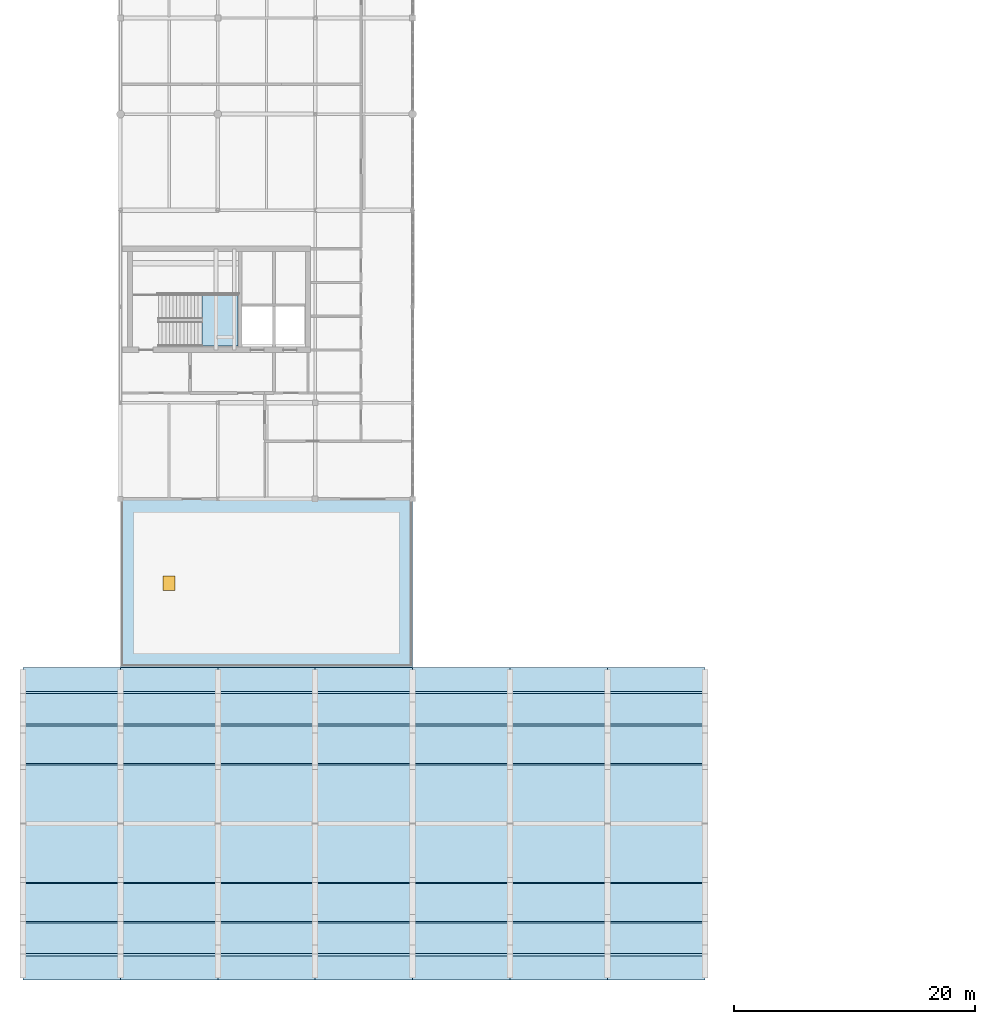
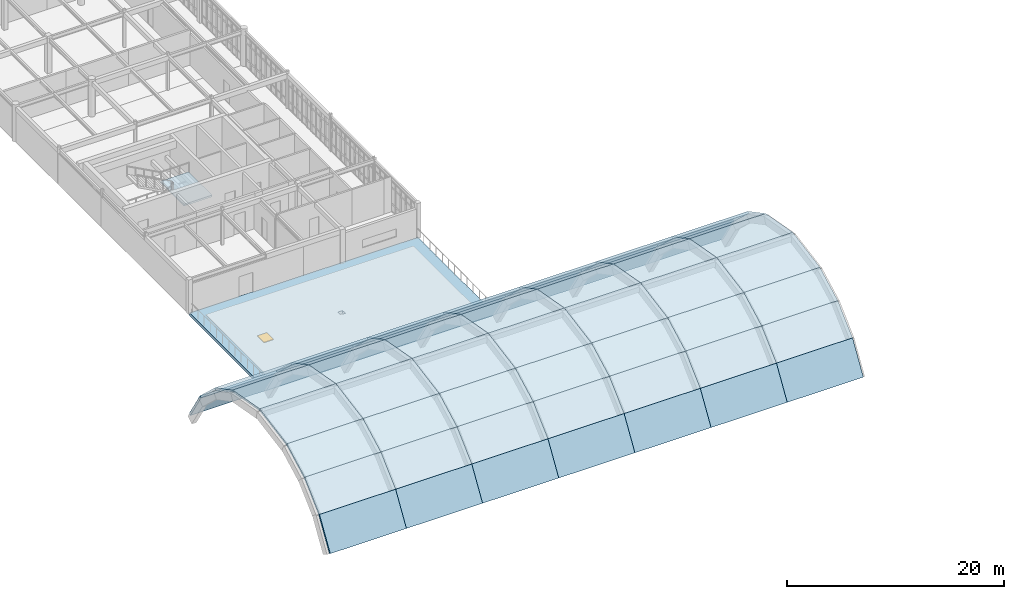
# One storey, part 21 of 36: 58 slabs, 1 door, 1 opening, 1 element without a shape of its own.
"""IFC4 building model written with IfcOpenShell, lengths in metres."""

from ifc_helpers import new_model, si_unit, direction, frame, origin, origin_2d, place, context, subcontext, project, spatial, polyline, rectangle, outline, extrude, material, layer, layer_set, type_object, element, fill, aggregate, save


model = new_model("IFC4")

# Units and contexts
model_context = context("Model", 3, precision=1e-05, world=origin(), true_north=direction((0.0, 1.0)))
body_context = subcontext(model_context, "Body", "Model", "MODEL_VIEW")
ifc_project = project(units=[si_unit("LENGTHUNIT", "METRE"), si_unit("AREAUNIT", "SQUARE_METRE"), si_unit("VOLUMEUNIT", "CUBIC_METRE"), si_unit("PLANEANGLEUNIT", "RADIAN"), si_unit("MASSUNIT", "GRAM", prefix="KILO")], contexts=[model_context])

# Site, building, storey
site_placement = place(None, origin())
site = spatial("IfcSite", under=ifc_project, at=site_placement, CompositionType="ELEMENT")
building_placement = place(site_placement, origin())
building = spatial("IfcBuilding", under=site, at=building_placement, Name="Tarnveldt Square Police Headquarters", CompositionType="ELEMENT")
storey_placement = place(building_placement, frame((0.0, 0.0, 24.89990234375)))
storey = spatial("IfcBuildingStorey", under=building, at=storey_placement, Name="L05", CompositionType="ELEMENT", Elevation=24.89990234375)

# Stair, slab
ifc_material_1 = material(Name="Concrete 40 MPa", Category="concrete")
stair_type = type_object("IfcStairType", Name="STR-HT-48A", PredefinedType="HALF_TURN_STAIR", material=ifc_material_1)
stair_placement = place(storey_placement, origin())
stair = element("IfcStair", 1, at=stair_placement, inside=storey, type_object=stair_type, Name="L05 Core K1 Exit Stair ST1", PredefinedType="HALF_TURN_STAIR")
ifc_layer_1 = layer(ifc_material_1, 0.179931640625)
ifc_layer_set_1 = layer_set([ifc_layer_1], Name="Concrete 40 MPa")
slab_type_1 = type_object("IfcSlabType", Name="SL-LND-180", PredefinedType="LANDING", material=ifc_layer_set_1)
slab_1_placement = place(storey_placement, frame((0.0, 0.0, 1.900146484375)))
slab_1 = element("IfcSlab", 2, at=slab_1_placement, type_object=slab_type_1, Name="ST1 landing 1", PredefinedType="LANDING", context=body_context, shape_type="SweptSolid", body=[
    extrude(outline(polyline([(22.969970703125, 60.719970703125), (25.969970703125, 60.719970703125), (25.969970703125, 65.02001953125), (22.969970703125, 65.02001953125), (22.969970703125, 60.719970703125)])), origin(), (0.0, 0.0, 1.0), 0.199951171875),
])
aggregate(stair, [slab_1])

# Slab, opening, door
ifc_layer_2 = layer(ifc_material_1, 0.340087890625)
ifc_layer_set_2 = layer_set([ifc_layer_2], Name="Concrete 40 MPa")
slab_type_2 = type_object("IfcSlabType", Name="SL-TER-340", PredefinedType="ROOF", material=ifc_layer_set_2)
slab_2_placement = place(storey_placement, frame((0.0, 0.0, -0.33984375)))
slab_2 = element("IfcSlab", 3, at=slab_2_placement, inside=storey, type_object=slab_type_2, Name="South-West Operations Setback Terrace", PredefinedType="ROOF", context=body_context, shape_type="SweptSolid", body=[
    extrude(outline(polyline([(16.199951171875, 34.0), (16.199951171875, 48.0), (40.5, 48.0), (40.5, 34.0), (16.199951171875, 34.0)]), holes=[polyline([(28.60009765625, 41.25), (28.10009765625, 41.25), (28.10009765625, 40.75), (28.60009765625, 40.75), (28.60009765625, 41.25)])]), origin(), (0.0, 0.0, 1.0), 0.33984375),
])
opening_placement = place(slab_2_placement, frame((20.25, 41.0, 0.0)))
opening = element("IfcOpeningElement", 4, at=opening_placement, cuts=slab_2, Name="Opening RH1", PredefinedType="OPENING", context=body_context, shape_type="SweptSolid", body=[
    extrude(rectangle(XDim=1.0, YDim=1.199951171875, at=origin_2d()), frame((0.0, 0.0, -0.010009765625)), (0.0, 0.0, 1.0), 0.419921875),
])
ifc_material_2 = material(Name="Steel 350W", Category="steel")
door_type = type_object("IfcDoorType", Name="HT-ROOF-100x120", OperationType="SINGLE_SWING_LEFT", PredefinedType="TRAPDOOR", material=ifc_material_2)
door_placement = place(opening_placement, frame((0.0, 0.0, 0.33984375)))
door = element("IfcDoor", 5, at=door_placement, inside=storey, type_object=door_type, Name="Roof Maintenance Access Hatch HT-TER-2", OperationType="SINGLE_SWING_LEFT", OverallHeight=1.199951171875, OverallWidth=1.0, PredefinedType="TRAPDOOR", context=body_context, shape_type="SweptSolid", body=[
    extrude(rectangle(XDim=1.0, YDim=1.199951171875, at=origin_2d()), origin(), (0.0, 0.0, 1.0), 0.050048828125),
])
fill(opening, door)

# Slabs
ifc_layer_3 = layer(ifc_material_1, 0.22998046875)
ifc_layer_set_3 = layer_set([ifc_layer_3], Name="Concrete 40 MPa")
slab_type_3 = type_object("IfcSlabType", Name="SL-VAULT-230", PredefinedType="ROOF", material=ifc_layer_set_3)
slab_3_placement = place(storey_placement, frame((8.10009765625, 8.0, 0.0), z_axis=(0.0, -0.849138976196, 0.528169479529), x_axis=(1.0, 0.0, 0.0)))
element("IfcSlab", 6, at=slab_3_placement, inside=storey, type_object=slab_type_3, Name="Command and Control Room Barrel Vault Roof Shell B1.F1", PredefinedType="ROOF", context=body_context, shape_type="SweptSolid", body=[
    extrude(outline(polyline([(0.0, 0.0), (8.099853515625, 0.0), (8.099853515625, 3.781116459592797), (0.0, 3.781116459592797), (0.0, 0.0)])), origin(), (0.0, 0.0, -1.0), 0.22998046875),
])
slab_4_placement = place(storey_placement, frame((8.10009765625, 9.9970703125, 3.210693359375), z_axis=(0.0, -0.682016751345, 0.731336551038), x_axis=(1.0, 0.0, 0.0)))
element("IfcSlab", 7, at=slab_4_placement, inside=storey, type_object=slab_type_3, Name="Command and Control Room Barrel Vault Roof Shell B1.F2", PredefinedType="ROOF", context=body_context, shape_type="SweptSolid", body=[
    extrude(outline(polyline([(0.0, 0.0), (8.099853515625, 0.0), (8.099853515625, 3.7225161322915987), (0.0, 3.7225161322915987), (0.0, 0.0)])), origin(), (0.0, 0.0, -1.0), 0.22998046875),
])
slab_5_placement = place(storey_placement, frame((8.10009765625, 12.719482421875, 5.74951171875), z_axis=(0.0, -0.469478088811, 0.882944122879), x_axis=(1.0, 0.0, 0.0)))
element("IfcSlab", 8, at=slab_5_placement, inside=storey, type_object=slab_type_3, Name="Command and Control Room Barrel Vault Roof Shell B1.F3", PredefinedType="ROOF", context=body_context, shape_type="SweptSolid", body=[
    extrude(outline(polyline([(0.0, 0.0), (8.099853515625, 0.0), (8.099853515625, 3.722343247535338), (0.0, 3.722343247535338), (0.0, 0.0)])), origin(), (0.0, 0.0, -1.0), 0.22998046875),
])
for number, where, z_axis, x_axis, name in (
    (9, (8.10009765625, 16.006103515625, 7.4970703125), (0.0, -0.177949762031, 0.984039573489), (1.0, 0.0, 0.0), "Command and Control Room Barrel Vault Roof Shell B1.F4"),
    (10, (8.10009765625, 21.0, 8.400146484375), (0.0, 0.177949762031, 0.984039573489), (1.0, 0.0, 0.0), "Command and Control Room Barrel Vault Roof Shell B1.F5"),
):
    element("IfcSlab", number, at=place(storey_placement, frame(where, z_axis=z_axis, x_axis=x_axis)), inside=storey, type_object=slab_type_3, Name=name, PredefinedType="ROOF", context=body_context, shape_type="SweptSolid", body=[
        extrude(outline(polyline([(0.0, 0.0), (8.099853515625, 0.0), (8.099853515625, 5.074893956415384), (0.0, 5.074893956415384), (0.0, 0.0)])), origin(), (0.0, 0.0, -1.0), 0.22998046875),
    ])
slab_6_placement = place(storey_placement, frame((8.10009765625, 25.993896484375, 7.4970703125), z_axis=(0.0, 0.469478088811, 0.882944122879), x_axis=(1.0, 0.0, 0.0)))
element("IfcSlab", 11, at=slab_6_placement, inside=storey, type_object=slab_type_3, Name="Command and Control Room Barrel Vault Roof Shell B1.F6", PredefinedType="ROOF", context=body_context, shape_type="SweptSolid", body=[
    extrude(outline(polyline([(0.0, 0.0), (8.099853515625, 0.0), (8.099853515625, 3.722343247535338), (0.0, 3.722343247535338), (0.0, 0.0)])), origin(), (0.0, 0.0, -1.0), 0.22998046875),
])
slab_7_placement = place(storey_placement, frame((8.10009765625, 29.280517578125, 5.74951171875), z_axis=(0.0, 0.682016751345, 0.731336551038), x_axis=(1.0, 0.0, 0.0)))
element("IfcSlab", 12, at=slab_7_placement, inside=storey, type_object=slab_type_3, Name="Command and Control Room Barrel Vault Roof Shell B1.F7", PredefinedType="ROOF", context=body_context, shape_type="SweptSolid", body=[
    extrude(outline(polyline([(0.0, 0.0), (8.099853515625, 0.0), (8.099853515625, 3.7225161322915987), (0.0, 3.7225161322915987), (0.0, 0.0)])), origin(), (0.0, 0.0, -1.0), 0.22998046875),
])
slab_8_placement = place(storey_placement, frame((8.10009765625, 32.0029296875, 3.210693359375), z_axis=(0.0, 0.849138976196, 0.528169479529), x_axis=(1.0, 0.0, 0.0)))
element("IfcSlab", 13, at=slab_8_placement, inside=storey, type_object=slab_type_3, Name="Command and Control Room Barrel Vault Roof Shell B1.F8", PredefinedType="ROOF", context=body_context, shape_type="SweptSolid", body=[
    extrude(outline(polyline([(0.0, 0.0), (8.099853515625, 0.0), (8.099853515625, 3.781116459592797), (0.0, 3.781116459592797), (0.0, 0.0)])), origin(), (0.0, 0.0, -1.0), 0.22998046875),
])
slab_9_placement = place(storey_placement, frame((16.199951171875, 8.0, 0.0), z_axis=(0.0, -0.849138976196, 0.528169479529), x_axis=(1.0, 0.0, 0.0)))
element("IfcSlab", 14, at=slab_9_placement, inside=storey, type_object=slab_type_3, Name="Command and Control Room Barrel Vault Roof Shell B2.F1", PredefinedType="ROOF", context=body_context, shape_type="SweptSolid", body=[
    extrude(outline(polyline([(0.0, 0.0), (8.10009765625, 0.0), (8.10009765625, 3.781116459592797), (0.0, 3.781116459592797), (0.0, 0.0)])), origin(), (0.0, 0.0, -1.0), 0.22998046875),
])
slab_10_placement = place(storey_placement, frame((16.199951171875, 9.9970703125, 3.210693359375), z_axis=(0.0, -0.682016751345, 0.731336551038), x_axis=(1.0, 0.0, 0.0)))
element("IfcSlab", 15, at=slab_10_placement, inside=storey, type_object=slab_type_3, Name="Command and Control Room Barrel Vault Roof Shell B2.F2", PredefinedType="ROOF", context=body_context, shape_type="SweptSolid", body=[
    extrude(outline(polyline([(0.0, 0.0), (8.10009765625, 0.0), (8.10009765625, 3.7225161322915987), (0.0, 3.7225161322915987), (0.0, 0.0)])), origin(), (0.0, 0.0, -1.0), 0.22998046875),
])
slab_11_placement = place(storey_placement, frame((16.199951171875, 12.719482421875, 5.74951171875), z_axis=(0.0, -0.469478088811, 0.882944122879), x_axis=(1.0, 0.0, 0.0)))
element("IfcSlab", 16, at=slab_11_placement, inside=storey, type_object=slab_type_3, Name="Command and Control Room Barrel Vault Roof Shell B2.F3", PredefinedType="ROOF", context=body_context, shape_type="SweptSolid", body=[
    extrude(outline(polyline([(0.0, 0.0), (8.10009765625, 0.0), (8.10009765625, 3.722343247535338), (0.0, 3.722343247535338), (0.0, 0.0)])), origin(), (0.0, 0.0, -1.0), 0.22998046875),
])
for number, where, z_axis, x_axis, name in (
    (17, (16.199951171875, 16.006103515625, 7.4970703125), (0.0, -0.177949762031, 0.984039573489), (1.0, 0.0, 0.0), "Command and Control Room Barrel Vault Roof Shell B2.F4"),
    (18, (16.199951171875, 21.0, 8.400146484375), (0.0, 0.177949762031, 0.984039573489), (1.0, 0.0, 0.0), "Command and Control Room Barrel Vault Roof Shell B2.F5"),
):
    element("IfcSlab", number, at=place(storey_placement, frame(where, z_axis=z_axis, x_axis=x_axis)), inside=storey, type_object=slab_type_3, Name=name, PredefinedType="ROOF", context=body_context, shape_type="SweptSolid", body=[
        extrude(outline(polyline([(0.0, 0.0), (8.10009765625, 0.0), (8.10009765625, 5.074893956415384), (0.0, 5.074893956415384), (0.0, 0.0)])), origin(), (0.0, 0.0, -1.0), 0.22998046875),
    ])
slab_12_placement = place(storey_placement, frame((16.199951171875, 25.993896484375, 7.4970703125), z_axis=(0.0, 0.469478088811, 0.882944122879), x_axis=(1.0, 0.0, 0.0)))
element("IfcSlab", 19, at=slab_12_placement, inside=storey, type_object=slab_type_3, Name="Command and Control Room Barrel Vault Roof Shell B2.F6", PredefinedType="ROOF", context=body_context, shape_type="SweptSolid", body=[
    extrude(outline(polyline([(0.0, 0.0), (8.10009765625, 0.0), (8.10009765625, 3.722343247535338), (0.0, 3.722343247535338), (0.0, 0.0)])), origin(), (0.0, 0.0, -1.0), 0.22998046875),
])
slab_13_placement = place(storey_placement, frame((16.199951171875, 29.280517578125, 5.74951171875), z_axis=(0.0, 0.682016751345, 0.731336551038), x_axis=(1.0, 0.0, 0.0)))
element("IfcSlab", 20, at=slab_13_placement, inside=storey, type_object=slab_type_3, Name="Command and Control Room Barrel Vault Roof Shell B2.F7", PredefinedType="ROOF", context=body_context, shape_type="SweptSolid", body=[
    extrude(outline(polyline([(0.0, 0.0), (8.10009765625, 0.0), (8.10009765625, 3.7225161322915987), (0.0, 3.7225161322915987), (0.0, 0.0)])), origin(), (0.0, 0.0, -1.0), 0.22998046875),
])
slab_14_placement = place(storey_placement, frame((16.199951171875, 32.0029296875, 3.210693359375), z_axis=(0.0, 0.849138976196, 0.528169479529), x_axis=(1.0, 0.0, 0.0)))
element("IfcSlab", 21, at=slab_14_placement, inside=storey, type_object=slab_type_3, Name="Command and Control Room Barrel Vault Roof Shell B2.F8", PredefinedType="ROOF", context=body_context, shape_type="SweptSolid", body=[
    extrude(outline(polyline([(0.0, 0.0), (8.10009765625, 0.0), (8.10009765625, 3.781116459592797), (0.0, 3.781116459592797), (0.0, 0.0)])), origin(), (0.0, 0.0, -1.0), 0.22998046875),
])
slab_15_placement = place(storey_placement, frame((24.300048828125, 8.0, 0.0), z_axis=(0.0, -0.849138976196, 0.528169479529), x_axis=(1.0, 0.0, 0.0)))
element("IfcSlab", 22, at=slab_15_placement, inside=storey, type_object=slab_type_3, Name="Command and Control Room Barrel Vault Roof Shell B3.F1", PredefinedType="ROOF", context=body_context, shape_type="SweptSolid", body=[
    extrude(outline(polyline([(0.0, 0.0), (8.099853515625, 0.0), (8.099853515625, 3.781116459592797), (0.0, 3.781116459592797), (0.0, 0.0)])), origin(), (0.0, 0.0, -1.0), 0.22998046875),
])
slab_16_placement = place(storey_placement, frame((24.300048828125, 9.9970703125, 3.210693359375), z_axis=(0.0, -0.682016751345, 0.731336551038), x_axis=(1.0, 0.0, 0.0)))
element("IfcSlab", 23, at=slab_16_placement, inside=storey, type_object=slab_type_3, Name="Command and Control Room Barrel Vault Roof Shell B3.F2", PredefinedType="ROOF", context=body_context, shape_type="SweptSolid", body=[
    extrude(outline(polyline([(0.0, 0.0), (8.099853515625, 0.0), (8.099853515625, 3.7225161322915987), (0.0, 3.7225161322915987), (0.0, 0.0)])), origin(), (0.0, 0.0, -1.0), 0.22998046875),
])
slab_17_placement = place(storey_placement, frame((24.300048828125, 12.719482421875, 5.74951171875), z_axis=(0.0, -0.469478088811, 0.882944122879), x_axis=(1.0, 0.0, 0.0)))
element("IfcSlab", 24, at=slab_17_placement, inside=storey, type_object=slab_type_3, Name="Command and Control Room Barrel Vault Roof Shell B3.F3", PredefinedType="ROOF", context=body_context, shape_type="SweptSolid", body=[
    extrude(outline(polyline([(0.0, 0.0), (8.099853515625, 0.0), (8.099853515625, 3.722343247535338), (0.0, 3.722343247535338), (0.0, 0.0)])), origin(), (0.0, 0.0, -1.0), 0.22998046875),
])
for number, where, z_axis, x_axis, name in (
    (25, (24.300048828125, 16.006103515625, 7.4970703125), (0.0, -0.177949762031, 0.984039573489), (1.0, 0.0, 0.0), "Command and Control Room Barrel Vault Roof Shell B3.F4"),
    (26, (24.300048828125, 21.0, 8.400146484375), (0.0, 0.177949762031, 0.984039573489), (1.0, 0.0, 0.0), "Command and Control Room Barrel Vault Roof Shell B3.F5"),
):
    element("IfcSlab", number, at=place(storey_placement, frame(where, z_axis=z_axis, x_axis=x_axis)), inside=storey, type_object=slab_type_3, Name=name, PredefinedType="ROOF", context=body_context, shape_type="SweptSolid", body=[
        extrude(outline(polyline([(0.0, 0.0), (8.099853515625, 0.0), (8.099853515625, 5.074893956415384), (0.0, 5.074893956415384), (0.0, 0.0)])), origin(), (0.0, 0.0, -1.0), 0.22998046875),
    ])
slab_18_placement = place(storey_placement, frame((24.300048828125, 25.993896484375, 7.4970703125), z_axis=(0.0, 0.469478088811, 0.882944122879), x_axis=(1.0, 0.0, 0.0)))
element("IfcSlab", 27, at=slab_18_placement, inside=storey, type_object=slab_type_3, Name="Command and Control Room Barrel Vault Roof Shell B3.F6", PredefinedType="ROOF", context=body_context, shape_type="SweptSolid", body=[
    extrude(outline(polyline([(0.0, 0.0), (8.099853515625, 0.0), (8.099853515625, 3.722343247535338), (0.0, 3.722343247535338), (0.0, 0.0)])), origin(), (0.0, 0.0, -1.0), 0.22998046875),
])
slab_19_placement = place(storey_placement, frame((24.300048828125, 29.280517578125, 5.74951171875), z_axis=(0.0, 0.682016751345, 0.731336551038), x_axis=(1.0, 0.0, 0.0)))
element("IfcSlab", 28, at=slab_19_placement, inside=storey, type_object=slab_type_3, Name="Command and Control Room Barrel Vault Roof Shell B3.F7", PredefinedType="ROOF", context=body_context, shape_type="SweptSolid", body=[
    extrude(outline(polyline([(0.0, 0.0), (8.099853515625, 0.0), (8.099853515625, 3.7225161322915987), (0.0, 3.7225161322915987), (0.0, 0.0)])), origin(), (0.0, 0.0, -1.0), 0.22998046875),
])
slab_20_placement = place(storey_placement, frame((24.300048828125, 32.0029296875, 3.210693359375), z_axis=(0.0, 0.849138976196, 0.528169479529), x_axis=(1.0, 0.0, 0.0)))
element("IfcSlab", 29, at=slab_20_placement, inside=storey, type_object=slab_type_3, Name="Command and Control Room Barrel Vault Roof Shell B3.F8", PredefinedType="ROOF", context=body_context, shape_type="SweptSolid", body=[
    extrude(outline(polyline([(0.0, 0.0), (8.099853515625, 0.0), (8.099853515625, 3.781116459592797), (0.0, 3.781116459592797), (0.0, 0.0)])), origin(), (0.0, 0.0, -1.0), 0.22998046875),
])
slab_21_placement = place(storey_placement, frame((32.39990234375, 8.0, 0.0), z_axis=(0.0, -0.849138976196, 0.528169479529), x_axis=(1.0, 0.0, 0.0)))
element("IfcSlab", 30, at=slab_21_placement, inside=storey, type_object=slab_type_3, Name="Command and Control Room Barrel Vault Roof Shell B4.F1", PredefinedType="ROOF", context=body_context, shape_type="SweptSolid", body=[
    extrude(outline(polyline([(0.0, 0.0), (8.10009765625, 0.0), (8.10009765625, 3.781116459592797), (0.0, 3.781116459592797), (0.0, 0.0)])), origin(), (0.0, 0.0, -1.0), 0.22998046875),
])
slab_22_placement = place(storey_placement, frame((32.39990234375, 9.9970703125, 3.210693359375), z_axis=(0.0, -0.682016751345, 0.731336551038), x_axis=(1.0, 0.0, 0.0)))
element("IfcSlab", 31, at=slab_22_placement, inside=storey, type_object=slab_type_3, Name="Command and Control Room Barrel Vault Roof Shell B4.F2", PredefinedType="ROOF", context=body_context, shape_type="SweptSolid", body=[
    extrude(outline(polyline([(0.0, 0.0), (8.10009765625, 0.0), (8.10009765625, 3.7225161322915987), (0.0, 3.7225161322915987), (0.0, 0.0)])), origin(), (0.0, 0.0, -1.0), 0.22998046875),
])
slab_23_placement = place(storey_placement, frame((32.39990234375, 12.719482421875, 5.74951171875), z_axis=(0.0, -0.469478088811, 0.882944122879), x_axis=(1.0, 0.0, 0.0)))
element("IfcSlab", 32, at=slab_23_placement, inside=storey, type_object=slab_type_3, Name="Command and Control Room Barrel Vault Roof Shell B4.F3", PredefinedType="ROOF", context=body_context, shape_type="SweptSolid", body=[
    extrude(outline(polyline([(0.0, 0.0), (8.10009765625, 0.0), (8.10009765625, 3.722343247535338), (0.0, 3.722343247535338), (0.0, 0.0)])), origin(), (0.0, 0.0, -1.0), 0.22998046875),
])
for number, where, z_axis, x_axis, name in (
    (33, (32.39990234375, 16.006103515625, 7.4970703125), (0.0, -0.177949762031, 0.984039573489), (1.0, 0.0, 0.0), "Command and Control Room Barrel Vault Roof Shell B4.F4"),
    (34, (32.39990234375, 21.0, 8.400146484375), (0.0, 0.177949762031, 0.984039573489), (1.0, 0.0, 0.0), "Command and Control Room Barrel Vault Roof Shell B4.F5"),
):
    element("IfcSlab", number, at=place(storey_placement, frame(where, z_axis=z_axis, x_axis=x_axis)), inside=storey, type_object=slab_type_3, Name=name, PredefinedType="ROOF", context=body_context, shape_type="SweptSolid", body=[
        extrude(outline(polyline([(0.0, 0.0), (8.10009765625, 0.0), (8.10009765625, 5.074893956415384), (0.0, 5.074893956415384), (0.0, 0.0)])), origin(), (0.0, 0.0, -1.0), 0.22998046875),
    ])
slab_24_placement = place(storey_placement, frame((32.39990234375, 25.993896484375, 7.4970703125), z_axis=(0.0, 0.469478088811, 0.882944122879), x_axis=(1.0, 0.0, 0.0)))
element("IfcSlab", 35, at=slab_24_placement, inside=storey, type_object=slab_type_3, Name="Command and Control Room Barrel Vault Roof Shell B4.F6", PredefinedType="ROOF", context=body_context, shape_type="SweptSolid", body=[
    extrude(outline(polyline([(0.0, 0.0), (8.10009765625, 0.0), (8.10009765625, 3.722343247535338), (0.0, 3.722343247535338), (0.0, 0.0)])), origin(), (0.0, 0.0, -1.0), 0.22998046875),
])
slab_25_placement = place(storey_placement, frame((32.39990234375, 29.280517578125, 5.74951171875), z_axis=(0.0, 0.682016751345, 0.731336551038), x_axis=(1.0, 0.0, 0.0)))
element("IfcSlab", 36, at=slab_25_placement, inside=storey, type_object=slab_type_3, Name="Command and Control Room Barrel Vault Roof Shell B4.F7", PredefinedType="ROOF", context=body_context, shape_type="SweptSolid", body=[
    extrude(outline(polyline([(0.0, 0.0), (8.10009765625, 0.0), (8.10009765625, 3.7225161322915987), (0.0, 3.7225161322915987), (0.0, 0.0)])), origin(), (0.0, 0.0, -1.0), 0.22998046875),
])
for number, where, z_axis, x_axis, name in (
    (37, (32.39990234375, 32.0029296875, 3.210693359375), (0.0, 0.849138976196, 0.528169479529), (1.0, 0.0, 0.0), "Command and Control Room Barrel Vault Roof Shell B4.F8"),
    (38, (40.5, 8.0, 0.0), (0.0, -0.849138976196, 0.528169479529), (1.0, 0.0, 0.0), "Command and Control Room Barrel Vault Roof Shell B5.F1"),
):
    element("IfcSlab", number, at=place(storey_placement, frame(where, z_axis=z_axis, x_axis=x_axis)), inside=storey, type_object=slab_type_3, Name=name, PredefinedType="ROOF", context=body_context, shape_type="SweptSolid", body=[
        extrude(outline(polyline([(0.0, 0.0), (8.10009765625, 0.0), (8.10009765625, 3.781116459592797), (0.0, 3.781116459592797), (0.0, 0.0)])), origin(), (0.0, 0.0, -1.0), 0.22998046875),
    ])
slab_26_placement = place(storey_placement, frame((40.5, 9.9970703125, 3.210693359375), z_axis=(0.0, -0.682016751345, 0.731336551038), x_axis=(1.0, 0.0, 0.0)))
element("IfcSlab", 39, at=slab_26_placement, inside=storey, type_object=slab_type_3, Name="Command and Control Room Barrel Vault Roof Shell B5.F2", PredefinedType="ROOF", context=body_context, shape_type="SweptSolid", body=[
    extrude(outline(polyline([(0.0, 0.0), (8.10009765625, 0.0), (8.10009765625, 3.7225161322915987), (0.0, 3.7225161322915987), (0.0, 0.0)])), origin(), (0.0, 0.0, -1.0), 0.22998046875),
])
slab_27_placement = place(storey_placement, frame((40.5, 12.719482421875, 5.74951171875), z_axis=(0.0, -0.469478088811, 0.882944122879), x_axis=(1.0, 0.0, 0.0)))
element("IfcSlab", 40, at=slab_27_placement, inside=storey, type_object=slab_type_3, Name="Command and Control Room Barrel Vault Roof Shell B5.F3", PredefinedType="ROOF", context=body_context, shape_type="SweptSolid", body=[
    extrude(outline(polyline([(0.0, 0.0), (8.10009765625, 0.0), (8.10009765625, 3.722343247535338), (0.0, 3.722343247535338), (0.0, 0.0)])), origin(), (0.0, 0.0, -1.0), 0.22998046875),
])
for number, where, z_axis, x_axis, name in (
    (41, (40.5, 16.006103515625, 7.4970703125), (0.0, -0.177949762031, 0.984039573489), (1.0, 0.0, 0.0), "Command and Control Room Barrel Vault Roof Shell B5.F4"),
    (42, (40.5, 21.0, 8.400146484375), (0.0, 0.177949762031, 0.984039573489), (1.0, 0.0, 0.0), "Command and Control Room Barrel Vault Roof Shell B5.F5"),
):
    element("IfcSlab", number, at=place(storey_placement, frame(where, z_axis=z_axis, x_axis=x_axis)), inside=storey, type_object=slab_type_3, Name=name, PredefinedType="ROOF", context=body_context, shape_type="SweptSolid", body=[
        extrude(outline(polyline([(0.0, 0.0), (8.10009765625, 0.0), (8.10009765625, 5.074893956415384), (0.0, 5.074893956415384), (0.0, 0.0)])), origin(), (0.0, 0.0, -1.0), 0.22998046875),
    ])
slab_28_placement = place(storey_placement, frame((40.5, 25.993896484375, 7.4970703125), z_axis=(0.0, 0.469478088811, 0.882944122879), x_axis=(1.0, 0.0, 0.0)))
element("IfcSlab", 43, at=slab_28_placement, inside=storey, type_object=slab_type_3, Name="Command and Control Room Barrel Vault Roof Shell B5.F6", PredefinedType="ROOF", context=body_context, shape_type="SweptSolid", body=[
    extrude(outline(polyline([(0.0, 0.0), (8.10009765625, 0.0), (8.10009765625, 3.722343247535338), (0.0, 3.722343247535338), (0.0, 0.0)])), origin(), (0.0, 0.0, -1.0), 0.22998046875),
])
slab_29_placement = place(storey_placement, frame((40.5, 29.280517578125, 5.74951171875), z_axis=(0.0, 0.682016751345, 0.731336551038), x_axis=(1.0, 0.0, 0.0)))
element("IfcSlab", 44, at=slab_29_placement, inside=storey, type_object=slab_type_3, Name="Command and Control Room Barrel Vault Roof Shell B5.F7", PredefinedType="ROOF", context=body_context, shape_type="SweptSolid", body=[
    extrude(outline(polyline([(0.0, 0.0), (8.10009765625, 0.0), (8.10009765625, 3.7225161322915987), (0.0, 3.7225161322915987), (0.0, 0.0)])), origin(), (0.0, 0.0, -1.0), 0.22998046875),
])
slab_30_placement = place(storey_placement, frame((40.5, 32.0029296875, 3.210693359375), z_axis=(0.0, 0.849138976196, 0.528169479529), x_axis=(1.0, 0.0, 0.0)))
element("IfcSlab", 45, at=slab_30_placement, inside=storey, type_object=slab_type_3, Name="Command and Control Room Barrel Vault Roof Shell B5.F8", PredefinedType="ROOF", context=body_context, shape_type="SweptSolid", body=[
    extrude(outline(polyline([(0.0, 0.0), (8.10009765625, 0.0), (8.10009765625, 3.781116459592797), (0.0, 3.781116459592797), (0.0, 0.0)])), origin(), (0.0, 0.0, -1.0), 0.22998046875),
])
slab_31_placement = place(storey_placement, frame((48.60009765625, 8.0, 0.0), z_axis=(0.0, -0.849138976196, 0.528169479529), x_axis=(1.0, 0.0, 0.0)))
element("IfcSlab", 46, at=slab_31_placement, inside=storey, type_object=slab_type_3, Name="Command and Control Room Barrel Vault Roof Shell B6.F1", PredefinedType="ROOF", context=body_context, shape_type="SweptSolid", body=[
    extrude(outline(polyline([(0.0, 0.0), (8.099853515625, 0.0), (8.099853515625, 3.781116459592797), (0.0, 3.781116459592797), (0.0, 0.0)])), origin(), (0.0, 0.0, -1.0), 0.22998046875),
])
slab_32_placement = place(storey_placement, frame((48.60009765625, 9.9970703125, 3.210693359375), z_axis=(0.0, -0.682016751345, 0.731336551038), x_axis=(1.0, 0.0, 0.0)))
element("IfcSlab", 47, at=slab_32_placement, inside=storey, type_object=slab_type_3, Name="Command and Control Room Barrel Vault Roof Shell B6.F2", PredefinedType="ROOF", context=body_context, shape_type="SweptSolid", body=[
    extrude(outline(polyline([(0.0, 0.0), (8.099853515625, 0.0), (8.099853515625, 3.7225161322915987), (0.0, 3.7225161322915987), (0.0, 0.0)])), origin(), (0.0, 0.0, -1.0), 0.22998046875),
])
slab_33_placement = place(storey_placement, frame((48.60009765625, 12.719482421875, 5.74951171875), z_axis=(0.0, -0.469478088811, 0.882944122879), x_axis=(1.0, 0.0, 0.0)))
element("IfcSlab", 48, at=slab_33_placement, inside=storey, type_object=slab_type_3, Name="Command and Control Room Barrel Vault Roof Shell B6.F3", PredefinedType="ROOF", context=body_context, shape_type="SweptSolid", body=[
    extrude(outline(polyline([(0.0, 0.0), (8.099853515625, 0.0), (8.099853515625, 3.722343247535338), (0.0, 3.722343247535338), (0.0, 0.0)])), origin(), (0.0, 0.0, -1.0), 0.22998046875),
])
for number, where, z_axis, x_axis, name in (
    (49, (48.60009765625, 16.006103515625, 7.4970703125), (0.0, -0.177949762031, 0.984039573489), (1.0, 0.0, 0.0), "Command and Control Room Barrel Vault Roof Shell B6.F4"),
    (50, (48.60009765625, 21.0, 8.400146484375), (0.0, 0.177949762031, 0.984039573489), (1.0, 0.0, 0.0), "Command and Control Room Barrel Vault Roof Shell B6.F5"),
):
    element("IfcSlab", number, at=place(storey_placement, frame(where, z_axis=z_axis, x_axis=x_axis)), inside=storey, type_object=slab_type_3, Name=name, PredefinedType="ROOF", context=body_context, shape_type="SweptSolid", body=[
        extrude(outline(polyline([(0.0, 0.0), (8.099853515625, 0.0), (8.099853515625, 5.074893956415384), (0.0, 5.074893956415384), (0.0, 0.0)])), origin(), (0.0, 0.0, -1.0), 0.22998046875),
    ])
slab_34_placement = place(storey_placement, frame((48.60009765625, 25.993896484375, 7.4970703125), z_axis=(0.0, 0.469478088811, 0.882944122879), x_axis=(1.0, 0.0, 0.0)))
element("IfcSlab", 51, at=slab_34_placement, inside=storey, type_object=slab_type_3, Name="Command and Control Room Barrel Vault Roof Shell B6.F6", PredefinedType="ROOF", context=body_context, shape_type="SweptSolid", body=[
    extrude(outline(polyline([(0.0, 0.0), (8.099853515625, 0.0), (8.099853515625, 3.722343247535338), (0.0, 3.722343247535338), (0.0, 0.0)])), origin(), (0.0, 0.0, -1.0), 0.22998046875),
])
slab_35_placement = place(storey_placement, frame((48.60009765625, 29.280517578125, 5.74951171875), z_axis=(0.0, 0.682016751345, 0.731336551038), x_axis=(1.0, 0.0, 0.0)))
element("IfcSlab", 52, at=slab_35_placement, inside=storey, type_object=slab_type_3, Name="Command and Control Room Barrel Vault Roof Shell B6.F7", PredefinedType="ROOF", context=body_context, shape_type="SweptSolid", body=[
    extrude(outline(polyline([(0.0, 0.0), (8.099853515625, 0.0), (8.099853515625, 3.7225161322915987), (0.0, 3.7225161322915987), (0.0, 0.0)])), origin(), (0.0, 0.0, -1.0), 0.22998046875),
])
slab_36_placement = place(storey_placement, frame((48.60009765625, 32.0029296875, 3.210693359375), z_axis=(0.0, 0.849138976196, 0.528169479529), x_axis=(1.0, 0.0, 0.0)))
element("IfcSlab", 53, at=slab_36_placement, inside=storey, type_object=slab_type_3, Name="Command and Control Room Barrel Vault Roof Shell B6.F8", PredefinedType="ROOF", context=body_context, shape_type="SweptSolid", body=[
    extrude(outline(polyline([(0.0, 0.0), (8.099853515625, 0.0), (8.099853515625, 3.781116459592797), (0.0, 3.781116459592797), (0.0, 0.0)])), origin(), (0.0, 0.0, -1.0), 0.22998046875),
])
slab_37_placement = place(storey_placement, frame((56.699951171875, 8.0, 0.0), z_axis=(0.0, -0.849138976196, 0.528169479529), x_axis=(1.0, 0.0, 0.0)))
element("IfcSlab", 54, at=slab_37_placement, inside=storey, type_object=slab_type_3, Name="Command and Control Room Barrel Vault Roof Shell B7.F1", PredefinedType="ROOF", context=body_context, shape_type="SweptSolid", body=[
    extrude(outline(polyline([(0.0, 0.0), (8.10009765625, 0.0), (8.10009765625, 3.781116459592797), (0.0, 3.781116459592797), (0.0, 0.0)])), origin(), (0.0, 0.0, -1.0), 0.22998046875),
])
slab_38_placement = place(storey_placement, frame((56.699951171875, 9.9970703125, 3.210693359375), z_axis=(0.0, -0.682016751345, 0.731336551038), x_axis=(1.0, 0.0, 0.0)))
element("IfcSlab", 55, at=slab_38_placement, inside=storey, type_object=slab_type_3, Name="Command and Control Room Barrel Vault Roof Shell B7.F2", PredefinedType="ROOF", context=body_context, shape_type="SweptSolid", body=[
    extrude(outline(polyline([(0.0, 0.0), (8.10009765625, 0.0), (8.10009765625, 3.7225161322915987), (0.0, 3.7225161322915987), (0.0, 0.0)])), origin(), (0.0, 0.0, -1.0), 0.22998046875),
])
slab_39_placement = place(storey_placement, frame((56.699951171875, 12.719482421875, 5.74951171875), z_axis=(0.0, -0.469478088811, 0.882944122879), x_axis=(1.0, 0.0, 0.0)))
element("IfcSlab", 56, at=slab_39_placement, inside=storey, type_object=slab_type_3, Name="Command and Control Room Barrel Vault Roof Shell B7.F3", PredefinedType="ROOF", context=body_context, shape_type="SweptSolid", body=[
    extrude(outline(polyline([(0.0, 0.0), (8.10009765625, 0.0), (8.10009765625, 3.722343247535338), (0.0, 3.722343247535338), (0.0, 0.0)])), origin(), (0.0, 0.0, -1.0), 0.22998046875),
])
for number, where, z_axis, x_axis, name in (
    (57, (56.699951171875, 16.006103515625, 7.4970703125), (0.0, -0.177949762031, 0.984039573489), (1.0, 0.0, 0.0), "Command and Control Room Barrel Vault Roof Shell B7.F4"),
    (58, (56.699951171875, 21.0, 8.400146484375), (0.0, 0.177949762031, 0.984039573489), (1.0, 0.0, 0.0), "Command and Control Room Barrel Vault Roof Shell B7.F5"),
):
    element("IfcSlab", number, at=place(storey_placement, frame(where, z_axis=z_axis, x_axis=x_axis)), inside=storey, type_object=slab_type_3, Name=name, PredefinedType="ROOF", context=body_context, shape_type="SweptSolid", body=[
        extrude(outline(polyline([(0.0, 0.0), (8.10009765625, 0.0), (8.10009765625, 5.074893956415384), (0.0, 5.074893956415384), (0.0, 0.0)])), origin(), (0.0, 0.0, -1.0), 0.22998046875),
    ])
slab_40_placement = place(storey_placement, frame((56.699951171875, 25.993896484375, 7.4970703125), z_axis=(0.0, 0.469478088811, 0.882944122879), x_axis=(1.0, 0.0, 0.0)))
element("IfcSlab", 59, at=slab_40_placement, inside=storey, type_object=slab_type_3, Name="Command and Control Room Barrel Vault Roof Shell B7.F6", PredefinedType="ROOF", context=body_context, shape_type="SweptSolid", body=[
    extrude(outline(polyline([(0.0, 0.0), (8.10009765625, 0.0), (8.10009765625, 3.722343247535338), (0.0, 3.722343247535338), (0.0, 0.0)])), origin(), (0.0, 0.0, -1.0), 0.22998046875),
])
slab_41_placement = place(storey_placement, frame((56.699951171875, 29.280517578125, 5.74951171875), z_axis=(0.0, 0.682016751345, 0.731336551038), x_axis=(1.0, 0.0, 0.0)))
element("IfcSlab", 60, at=slab_41_placement, inside=storey, type_object=slab_type_3, Name="Command and Control Room Barrel Vault Roof Shell B7.F7", PredefinedType="ROOF", context=body_context, shape_type="SweptSolid", body=[
    extrude(outline(polyline([(0.0, 0.0), (8.10009765625, 0.0), (8.10009765625, 3.7225161322915987), (0.0, 3.7225161322915987), (0.0, 0.0)])), origin(), (0.0, 0.0, -1.0), 0.22998046875),
])
slab_42_placement = place(storey_placement, frame((56.699951171875, 32.0029296875, 3.210693359375), z_axis=(0.0, 0.849138976196, 0.528169479529), x_axis=(1.0, 0.0, 0.0)))
element("IfcSlab", 61, at=slab_42_placement, inside=storey, type_object=slab_type_3, Name="Command and Control Room Barrel Vault Roof Shell B7.F8", PredefinedType="ROOF", context=body_context, shape_type="SweptSolid", body=[
    extrude(outline(polyline([(0.0, 0.0), (8.10009765625, 0.0), (8.10009765625, 3.781116459592797), (0.0, 3.781116459592797), (0.0, 0.0)])), origin(), (0.0, 0.0, -1.0), 0.22998046875),
])

save(model, "model.ifc")
